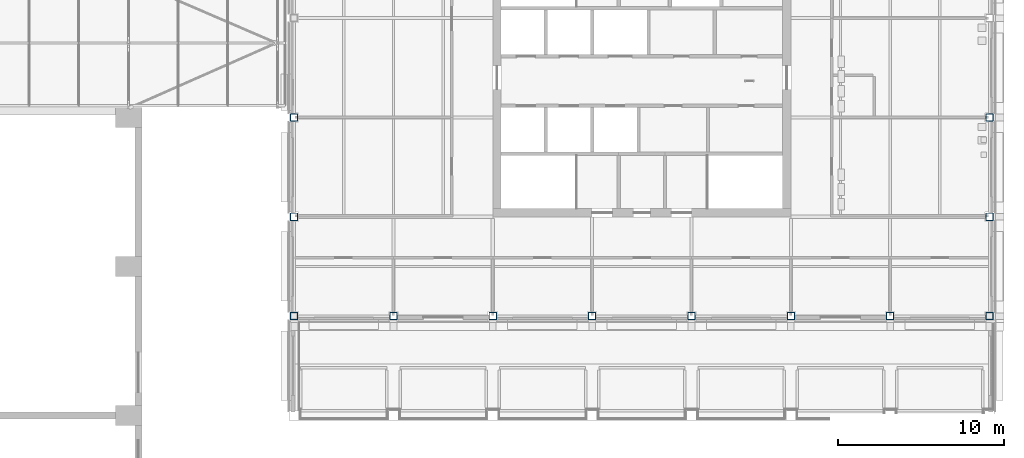
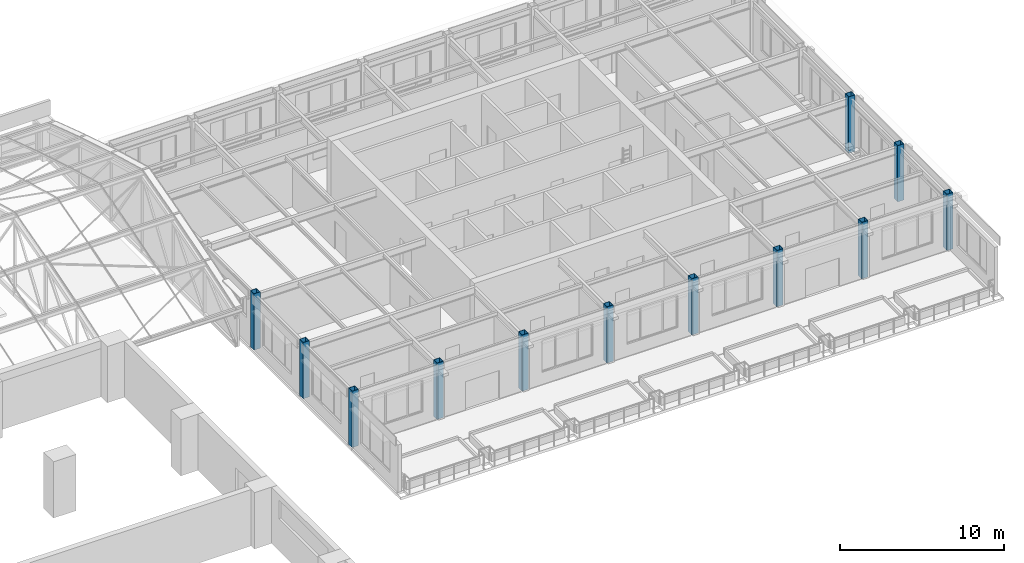
# One storey, part 2 of 82: 12 columns.
"""IFC4 building model written with IfcOpenShell, lengths in metres."""

from ifc_helpers import new_model, si_unit, direction, frame, origin, origin_2d, place, context, subcontext, project, spatial, hollow_rectangle, extrude, material, material_profile, profile_set, type_object, element, save


model = new_model("IFC4")

# Units and contexts
model_context = context("Model", 3, precision=1e-05, world=origin(), true_north=direction((0.0, 1.0)))
body_context = subcontext(model_context, "Body", "Model", "MODEL_VIEW")
ifc_project = project(units=[si_unit("LENGTHUNIT", "METRE"), si_unit("AREAUNIT", "SQUARE_METRE"), si_unit("VOLUMEUNIT", "CUBIC_METRE"), si_unit("PLANEANGLEUNIT", "RADIAN"), si_unit("MASSUNIT", "GRAM", prefix="KILO")], contexts=[model_context])

# Site, building, storey
site_placement = place(None, origin())
site = spatial("IfcSite", under=ifc_project, at=site_placement, CompositionType="ELEMENT")
building_placement = place(site_placement, origin())
building = spatial("IfcBuilding", under=site, at=building_placement, Name="Aravalli Gate Trade Fair Centre", CompositionType="ELEMENT")
storey_placement = place(building_placement, frame((0.0, 0.0, 19.199951171875)))
storey = spatial("IfcBuildingStorey", under=building, at=storey_placement, Name="L04", CompositionType="ELEMENT", Elevation=19.199951171875)

# Columns
ifc_material = material(Name="Steel E350", Category="steel")
ifc_material_profile = material_profile(ifc_material, hollow_rectangle(XDim=0.449951171875, YDim=0.449951171875, WallThickness=0.02490234375, at=origin_2d()), Name="BOX 450x450x25")
ifc_profile_set = profile_set([ifc_material_profile], Name="Steel E350")
column_type = type_object("IfcColumnType", Name="Wing top-storey box column 450 x 450 x 25", PredefinedType="COLUMN", material=ifc_profile_set)
for number, where, z_axis, x_axis, name in (
    (1, (160.0, 97.0, 0.0), (0.0, 0.0, 1.0), (1.0, 0.0, 0.0), "Wing column 18/T1 L04"),
    (2, (160.0, 103.0, 0.0), (0.0, 0.0, 1.0), (1.0, 0.0, 0.0), "Wing column 18/T2 L04"),
    (3, (160.0, 109.0, 0.0), (0.0, 0.0, 1.0), (1.0, 0.0, 0.0), "Wing column 18/H L04"),
    (4, (202.0, 97.0, 0.0), (0.0, 0.0, 1.0), (1.0, 0.0, 0.0), "Wing column 25/T1 L04"),
    (5, (202.0, 103.0, 0.0), (0.0, 0.0, 1.0), (1.0, 0.0, 0.0), "Wing column 25/T2 L04"),
    (6, (202.0, 109.0, 0.0), (0.0, 0.0, 1.0), (1.0, 0.0, 0.0), "Wing column 25/H L04"),
    (7, (166.0, 97.0, 0.0), (0.0, 0.0, 1.0), (1.0, 0.0, 0.0), "Wing column 19/T1 L04"),
    (8, (172.0, 97.0, 0.0), (0.0, 0.0, 1.0), (1.0, 0.0, 0.0), "Wing column 20/T1 L04"),
    (9, (178.0, 97.0, 0.0), (0.0, 0.0, 1.0), (1.0, 0.0, 0.0), "Wing column 21/T1 L04"),
    (10, (184.0, 97.0, 0.0), (0.0, 0.0, 1.0), (1.0, 0.0, 0.0), "Wing column 22/T1 L04"),
    (11, (190.0, 97.0, 0.0), (0.0, 0.0, 1.0), (1.0, 0.0, 0.0), "Wing column 23/T1 L04"),
    (12, (196.0, 97.0, 0.0), (0.0, 0.0, 1.0), (1.0, 0.0, 0.0), "Wing column 24/T1 L04"),
):
    element("IfcColumn", number, at=place(storey_placement, frame(where, z_axis=z_axis, x_axis=x_axis)), inside=storey, type_object=column_type, Name=name, PredefinedType="COLUMN", context=body_context, shape_type="SweptSolid", body=[
        extrude(hollow_rectangle(XDim=0.449951171875, YDim=0.449951171875, WallThickness=0.02490234375, at=origin_2d()), origin(), (0.0, 0.0, 1.0), 4.199951171875),
    ])

save(model, "model.ifc")
